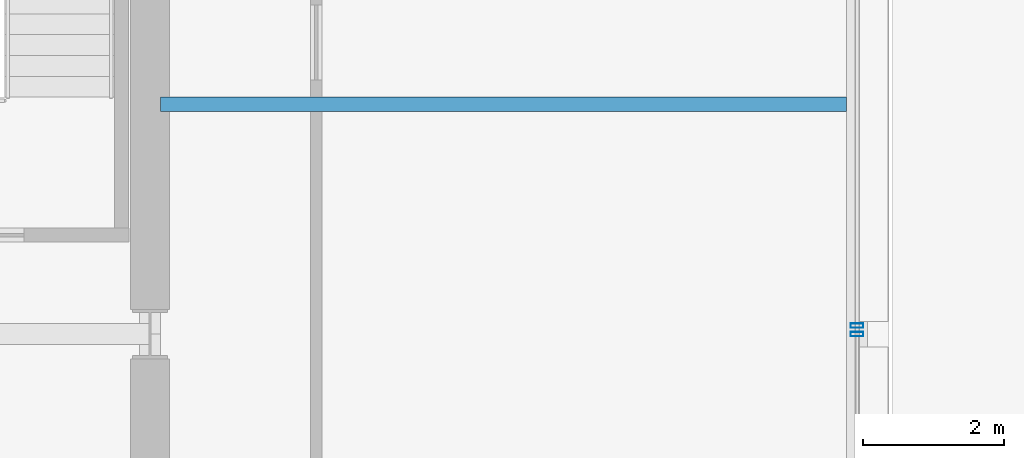
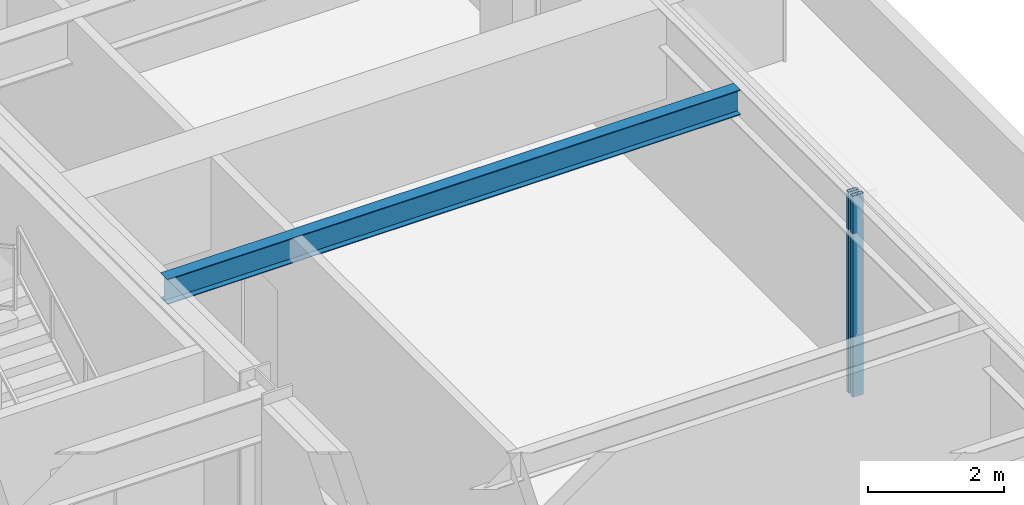
# One storey, part 16 of 33: 2 members, 1 beam, 2 elements without a shape of their own.
"""IFC4 building model written with IfcOpenShell, lengths in metres."""

from ifc_helpers import new_model, si_unit, direction, frame, origin, origin_2d, place, context, subcontext, project, spatial, hollow_rectangle, i_section, extrude, material, layer, layer_set, material_profile, profile_set, type_object, element, aggregate, save


model = new_model("IFC4")

# Units and contexts
model_context = context("Model", 3, precision=1e-05, world=origin(), true_north=direction((0.0, 1.0)))
body_context = subcontext(model_context, "Body", "Model", "MODEL_VIEW")
ifc_project = project(units=[si_unit("LENGTHUNIT", "METRE"), si_unit("AREAUNIT", "SQUARE_METRE"), si_unit("VOLUMEUNIT", "CUBIC_METRE"), si_unit("PLANEANGLEUNIT", "RADIAN"), si_unit("MASSUNIT", "GRAM", prefix="KILO")], contexts=[model_context])

# Site, building, storey
site_placement = place(None, origin())
site = spatial("IfcSite", under=ifc_project, at=site_placement, CompositionType="ELEMENT")
building_placement = place(site_placement, origin())
building = spatial("IfcBuilding", under=site, at=building_placement, Name="Brelmoor Portico Tower", CompositionType="ELEMENT")
storey_placement = place(building_placement, frame((0.0, 0.0, 24.0)))
storey = spatial("IfcBuildingStorey", under=building, at=storey_placement, Name="L05", CompositionType="ELEMENT", Elevation=24.0)

# Beam
ifc_material_1 = material(Name="Steel Q355B", Category="steel")
ifc_material_profile_1 = material_profile(ifc_material_1, i_section(OverallWidth=0.199951171875, OverallDepth=0.449951171875, WebThickness=0.009033203125, FlangeThickness=0.013916015625, at=origin_2d()), Name="HN 450x200x9x14")
ifc_profile_set_1 = profile_set([ifc_material_profile_1], Name="Steel Q355B")
beam_type = type_object("IfcBeamType", Name="BM-JS-450", PredefinedType="JOIST", material=ifc_profile_set_1)
beam_placement = place(storey_placement, frame((14.699951171875, 3.25, 3.175048828125), z_axis=(1.0, 0.0, 0.0), x_axis=(0.0, 1.0, 0.0)))
element("IfcBeam", 1, at=beam_placement, inside=storey, type_object=beam_type, Name="L05 Secondary Wing Joist JS-E10", PredefinedType="JOIST", context=body_context, shape_type="SweptSolid", body=[
    extrude(i_section(OverallWidth=0.199951171875, OverallDepth=0.449951171875, WebThickness=0.009033203125, FlangeThickness=0.013916015625, at=origin_2d()), origin(), (0.0, 0.0, 1.0), 9.699951171875),
])

# Curtain wall, member
ifc_material_2 = material(Name="Anodised Aluminium Alloy 6063-T6", Category="aluminium")
ifc_layer_1 = layer(ifc_material_2, 0.179931640625)
ifc_layer_set_1 = layer_set([ifc_layer_1], Name="Anodised Aluminium Alloy 6063-T6")
curtain_wall_type_1 = type_object("IfcCurtainWallType", Name="CW-TOWER-Z1", PredefinedType="NOTDEFINED", material=ifc_layer_set_1)
curtain_wall_1_placement = place(storey_placement, origin())
curtain_wall_1 = element("IfcCurtainWall", 2, at=curtain_wall_1_placement, inside=storey, type_object=curtain_wall_type_1, Name="L05 Curtain Wall CW-L05-04-2a", PredefinedType="NOTDEFINED")
ifc_material_profile_2 = material_profile(ifc_material_2, hollow_rectangle(XDim=0.06494140625, YDim=0.179931640625, WallThickness=0.00390625, at=origin_2d()), Name="ALU MULLION 65x180")
ifc_profile_set_2 = profile_set([ifc_material_profile_2], Name="Anodised Aluminium Alloy 6063-T6")
member_type = type_object("IfcMemberType", Name="MB-CW-MULL-180", PredefinedType="MULLION", material=ifc_profile_set_2)
member_1_placement = place(storey_placement, frame((24.550048828125, 0.0, -0.199951171875), z_axis=(0.0, 0.0, 1.0), x_axis=(0.0, 1.0, 0.0)))
member_1 = element("IfcMember", 3, at=member_1_placement, type_object=member_type, Name="CW-L05-04-2a Mullion 01", PredefinedType="MULLION", context=body_context, shape_type="SweptSolid", body=[
    extrude(hollow_rectangle(XDim=0.06494140625, YDim=0.179931640625, WallThickness=0.00390625, at=origin_2d()), origin(), (0.0, 0.0, 1.0), 3.599853515625),
])
aggregate(curtain_wall_1, [member_1])

ifc_layer_2 = layer(ifc_material_2, 0.179931640625)
ifc_layer_set_2 = layer_set([ifc_layer_2], Name="Anodised Aluminium Alloy 6063-T6")
curtain_wall_type_2 = type_object("IfcCurtainWallType", Name="CW-TOWER-Z1-XB", PredefinedType="NOTDEFINED", material=ifc_layer_set_2)
curtain_wall_2_placement = place(storey_placement, origin())
curtain_wall_2 = element("IfcCurtainWall", 4, at=curtain_wall_2_placement, inside=storey, type_object=curtain_wall_type_2, Name="L05 Curtain Wall CW-L05-04-2b", PredefinedType="NOTDEFINED")
member_2_placement = place(storey_placement, frame((24.550048828125, 0.1201171875, -0.199951171875), z_axis=(0.0, 0.0, 1.0), x_axis=(0.0, 1.0, 0.0)))
member_2 = element("IfcMember", 5, at=member_2_placement, type_object=member_type, Name="CW-L05-04-2b Mullion 00", PredefinedType="MULLION", context=body_context, shape_type="SweptSolid", body=[
    extrude(hollow_rectangle(XDim=0.06494140625, YDim=0.179931640625, WallThickness=0.00390625, at=origin_2d()), origin(), (0.0, 0.0, 1.0), 3.599853515625),
])
aggregate(curtain_wall_2, [member_2])

save(model, "model.ifc")
